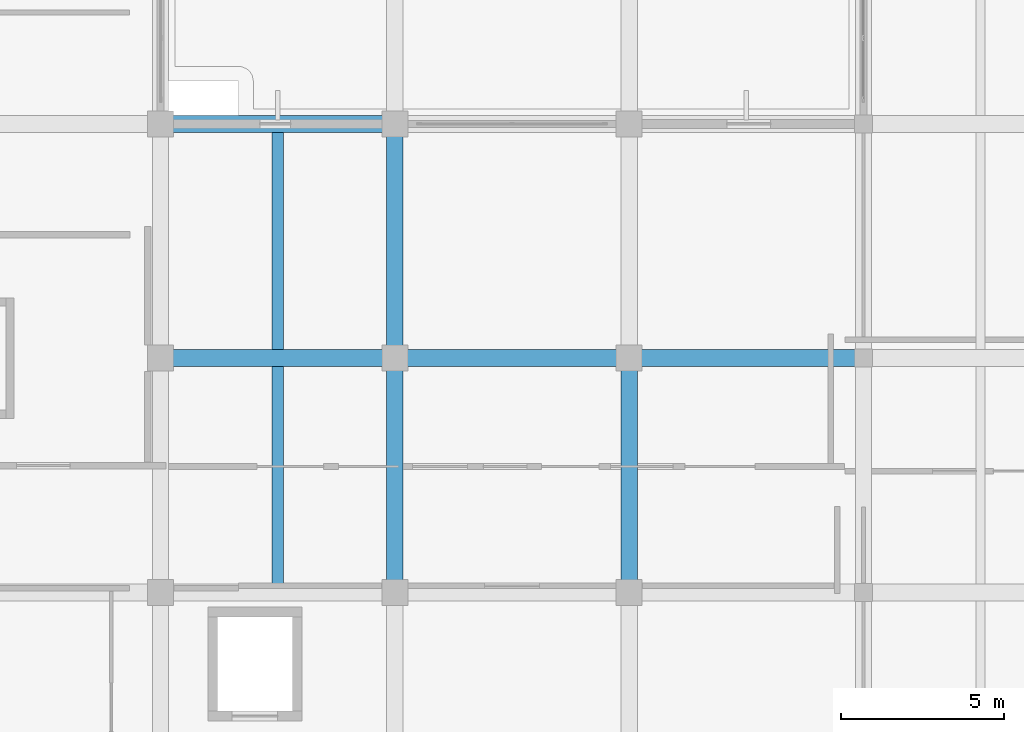
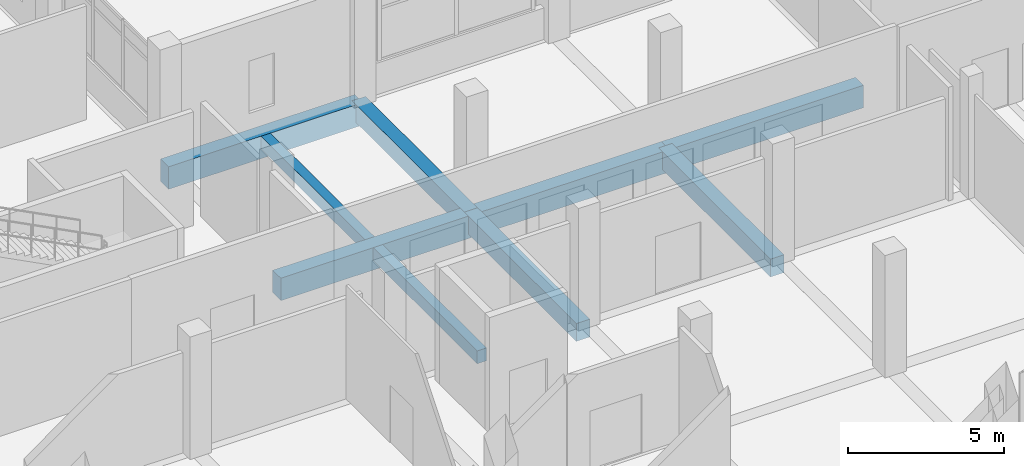
# One storey, part 41 of 140: 9 beams.
"""IFC4 building model written with IfcOpenShell, lengths in metres."""

from ifc_helpers import new_model, si_unit, direction, frame, origin, origin_2d, place, context, subcontext, project, spatial, rectangle, extrude, material, material_profile, profile_set, type_object, element, save


model = new_model("IFC4")

# Units and contexts
model_context = context("Model", 3, precision=1e-05, world=origin(), true_north=direction((0.0, 1.0)))
body_context = subcontext(model_context, "Body", "Model", "MODEL_VIEW")
ifc_project = project(units=[si_unit("LENGTHUNIT", "METRE"), si_unit("AREAUNIT", "SQUARE_METRE"), si_unit("VOLUMEUNIT", "CUBIC_METRE"), si_unit("PLANEANGLEUNIT", "RADIAN"), si_unit("MASSUNIT", "GRAM", prefix="KILO")], contexts=[model_context])

# Site, building, storey
site_placement = place(None, origin())
site = spatial("IfcSite", under=ifc_project, at=site_placement, CompositionType="ELEMENT")
building_placement = place(site_placement, origin())
building = spatial("IfcBuilding", under=site, at=building_placement, Name="Seraya Terrace Polytechnic", CompositionType="ELEMENT")
storey_placement = place(building_placement, frame((0.0, 0.0, 9.60009765625)))
storey = spatial("IfcBuildingStorey", under=building, at=storey_placement, Name="L02", CompositionType="ELEMENT", Elevation=9.60009765625)

# Beams
ifc_material = material(Name="Concrete C40/50", Category="concrete")
ifc_material_profile_1 = material_profile(ifc_material, rectangle(XDim=0.52001953125, YDim=0.8798828125, at=origin_2d()), Name="RC 520x880")
ifc_profile_set_1 = profile_set([ifc_material_profile_1], Name="Concrete C40/50")
beam_type_1 = type_object("IfcBeamType", Name="BM-04", PredefinedType="BEAM", material=ifc_profile_set_1)
for number, where, z_axis, x_axis, name in (
    (1, (108.0, 21.60009765625, -0.440185546875), (1.0, 0.0, 0.0), (0.0, 1.0, 0.0), "Beam BM-04 L02 X (108.0..115.2, 21.6)"),
    (2, (115.199951171875, 21.60009765625, -0.440185546875), (1.0, 0.0, 0.0), (0.0, 1.0, 0.0), "Beam BM-04 L02 X (115.2..122.4, 21.6)"),
):
    element("IfcBeam", number, at=place(storey_placement, frame(where, z_axis=z_axis, x_axis=x_axis)), inside=storey, type_object=beam_type_1, Name=name, PredefinedType="BEAM", context=body_context, shape_type="SweptSolid", body=[
        extrude(rectangle(XDim=0.52001953125, YDim=0.8798828125, at=origin_2d()), origin(), (0.0, 0.0, 1.0), 7.199951171875),
    ])
beam_1_placement = place(storey_placement, frame((122.39990234375, 21.60009765625, -0.440185546875), z_axis=(1.0, 0.0, 0.0), x_axis=(0.0, 1.0, 0.0)))
element("IfcBeam", 3, at=beam_1_placement, inside=storey, type_object=beam_type_1, Name="Beam BM-04 L02 X (122.4..129.6, 21.6)", PredefinedType="BEAM", context=body_context, shape_type="SweptSolid", body=[
    extrude(rectangle(XDim=0.52001953125, YDim=0.8798828125, at=origin_2d()), origin(), (0.0, 0.0, 1.0), 7.2001953125),
])
beam_2_placement = place(storey_placement, frame((108.0, 28.800048828125, -0.440185546875), z_axis=(1.0, 0.0, 0.0), x_axis=(0.0, 1.0, 0.0)))
element("IfcBeam", 4, at=beam_2_placement, inside=storey, type_object=beam_type_1, Name="Beam BM-04 L02 X (108.0..115.2, 28.8)", PredefinedType="BEAM", context=body_context, shape_type="SweptSolid", body=[
    extrude(rectangle(XDim=0.52001953125, YDim=0.8798828125, at=origin_2d()), origin(), (0.0, 0.0, 1.0), 7.199951171875),
])
ifc_material_profile_2 = material_profile(ifc_material, rectangle(XDim=0.5, YDim=0.699951171875, at=origin_2d()), Name="RC 500x700")
ifc_profile_set_2 = profile_set([ifc_material_profile_2], Name="Concrete C40/50")
beam_type_2 = type_object("IfcBeamType", Name="BM-07", PredefinedType="BEAM", material=ifc_profile_set_2)
beam_3_placement = place(storey_placement, frame((115.199951171875, 14.39990234375, -0.35009765625), z_axis=(0.0, 1.0, 0.0), x_axis=(-1.0, 0.0, 0.0)))
element("IfcBeam", 5, at=beam_3_placement, inside=storey, type_object=beam_type_2, Name="Beam BM-07 L02 Y (115.2, 14.4..21.6)", PredefinedType="BEAM", context=body_context, shape_type="SweptSolid", body=[
    extrude(rectangle(XDim=0.5, YDim=0.699951171875, at=origin_2d()), origin(), (0.0, 0.0, 1.0), 7.2001953125),
])
beam_4_placement = place(storey_placement, frame((115.199951171875, 21.60009765625, -0.35009765625), z_axis=(0.0, 1.0, 0.0), x_axis=(-1.0, 0.0, 0.0)))
element("IfcBeam", 6, at=beam_4_placement, inside=storey, type_object=beam_type_2, Name="Beam BM-07 L02 Y (115.2, 21.6..28.8)", PredefinedType="BEAM", context=body_context, shape_type="SweptSolid", body=[
    extrude(rectangle(XDim=0.5, YDim=0.699951171875, at=origin_2d()), origin(), (0.0, 0.0, 1.0), 7.199951171875),
])
beam_5_placement = place(storey_placement, frame((122.39990234375, 14.39990234375, -0.35009765625), z_axis=(0.0, 1.0, 0.0), x_axis=(-1.0, 0.0, 0.0)))
element("IfcBeam", 7, at=beam_5_placement, inside=storey, type_object=beam_type_2, Name="Beam BM-07 L02 Y (122.4, 14.4..21.6)", PredefinedType="BEAM", context=body_context, shape_type="SweptSolid", body=[
    extrude(rectangle(XDim=0.5, YDim=0.699951171875, at=origin_2d()), origin(), (0.0, 0.0, 1.0), 7.2001953125),
])
ifc_material_profile_3 = material_profile(ifc_material, rectangle(XDim=0.35009765625, YDim=0.5, at=origin_2d()), Name="RC 350x500")
ifc_profile_set_3 = profile_set([ifc_material_profile_3], Name="Concrete C40/50")
beam_type_3 = type_object("IfcBeamType", Name="JS-03", PredefinedType="JOIST", material=ifc_profile_set_3)
beam_6_placement = place(storey_placement, frame((111.60009765625, 14.659912109375, -0.25), z_axis=(0.0, 1.0, 0.0), x_axis=(-1.0, 0.0, 0.0)))
element("IfcBeam", 8, at=beam_6_placement, inside=storey, type_object=beam_type_3, Name="Secondary joist JS-03 L02", PredefinedType="JOIST", context=body_context, shape_type="SweptSolid", body=[
    extrude(rectangle(XDim=0.35009765625, YDim=0.5, at=origin_2d()), origin(), (0.0, 0.0, 1.0), 6.68017578125),
])
beam_7_placement = place(storey_placement, frame((111.60009765625, 21.860107421875, -0.25), z_axis=(0.0, 1.0, 0.0), x_axis=(-1.0, 0.0, 0.0)))
element("IfcBeam", 9, at=beam_7_placement, inside=storey, type_object=beam_type_3, Name="Secondary joist JS-03 L02", PredefinedType="JOIST", context=body_context, shape_type="SweptSolid", body=[
    extrude(rectangle(XDim=0.35009765625, YDim=0.5, at=origin_2d()), origin(), (0.0, 0.0, 1.0), 6.679931640625),
])

save(model, "model.ifc")
